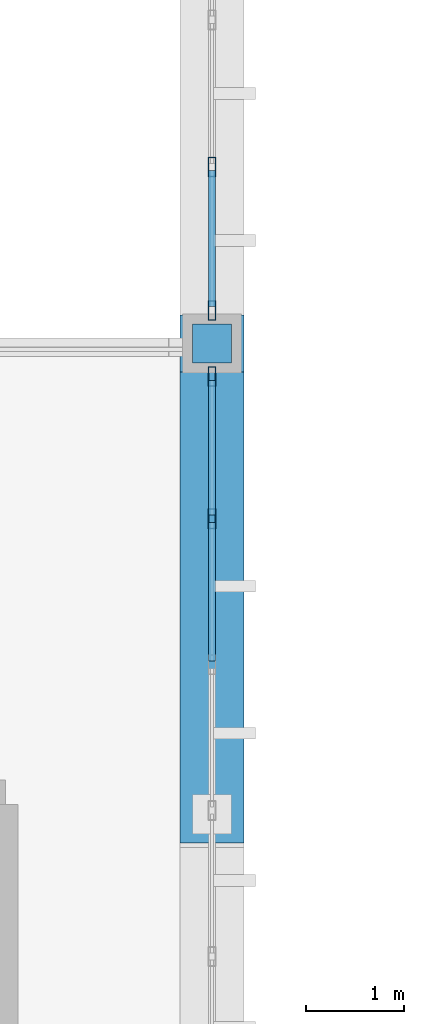
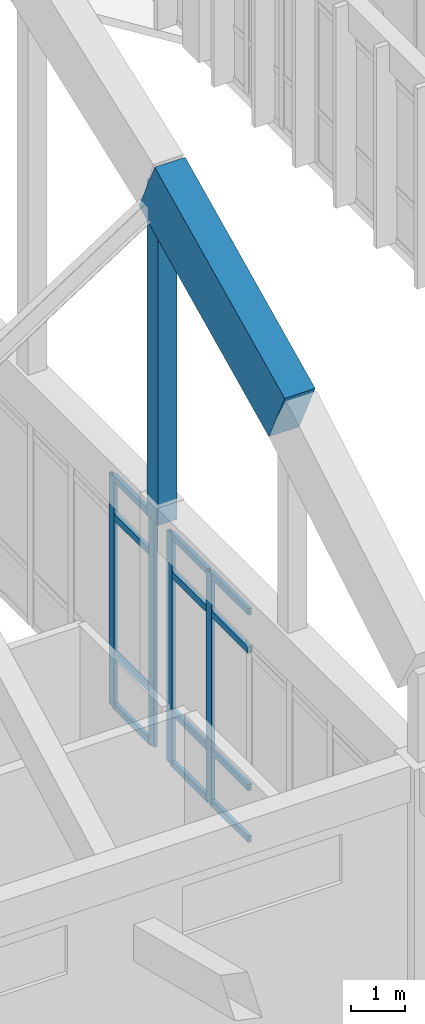
# One storey, part 128 of 236: 18 members, 2 elements without a shape of their own.
"""IFC4 building model written with IfcOpenShell, lengths in metres."""

from ifc_helpers import new_model, si_unit, direction, frame, origin, origin_2d, place, context, subcontext, project, spatial, rectangle, hollow_rectangle, extrude, material, layer, layer_set, material_profile, profile_set, type_object, element, aggregate, save


model = new_model("IFC4")

# Units and contexts
model_context = context("Model", 3, precision=1e-05, world=origin(), true_north=direction((0.0, 1.0)))
body_context = subcontext(model_context, "Body", "Model", "MODEL_VIEW")
ifc_project = project(units=[si_unit("LENGTHUNIT", "METRE"), si_unit("AREAUNIT", "SQUARE_METRE"), si_unit("VOLUMEUNIT", "CUBIC_METRE"), si_unit("PLANEANGLEUNIT", "RADIAN"), si_unit("MASSUNIT", "GRAM", prefix="KILO")], contexts=[model_context])

# Site, building, storey
site_placement = place(None, origin())
site = spatial("IfcSite", under=ifc_project, at=site_placement, CompositionType="ELEMENT")
building_placement = place(site_placement, origin())
building = spatial("IfcBuilding", under=site, at=building_placement, Name="Pandanus Reach Market Hall", CompositionType="ELEMENT")
storey_placement = place(building_placement, frame((0.0, 0.0, 5.39990234375)))
storey = spatial("IfcBuildingStorey", under=building, at=storey_placement, Name="L01", CompositionType="ELEMENT", Elevation=5.39990234375)

# Members
ifc_material_1 = material(Name="Concrete N50 (50 MPa)", Category="concrete")
ifc_material_profile_1 = material_profile(ifc_material_1, rectangle(XDim=0.64990234375, YDim=1.35009765625, at=origin_2d()), Name="RC650x1350", Category="LoadBearing")
ifc_profile_set_1 = profile_set([ifc_material_profile_1], Name="Concrete N50 (50 MPa)")
member_type_1 = type_object("IfcMemberType", Name="AR-RC650-E", PredefinedType="CHORD", material=ifc_profile_set_1)
member_1_placement = place(storey_placement, frame((132.0, 33.60009765625, 10.59130859375), z_axis=(0.0, 0.901823476756, 0.43210463637), x_axis=(-1.0, 0.0, 0.0)))
element("IfcMember", 1, at=member_1_placement, inside=storey, type_object=member_type_1, Name="Parabolic arch top chord A8.2", PredefinedType="CHORD", context=body_context, shape_type="SweptSolid", body=[
    extrude(rectangle(XDim=0.64990234375, YDim=1.35009765625, at=origin_2d()), origin(), (0.0, 0.0, 1.0), 5.322265625),
])
ifc_material_profile_2 = material_profile(ifc_material_1, rectangle(XDim=0.39990234375, YDim=0.39990234375, at=origin_2d()), Name="RC400x400", Category="LoadBearing")
ifc_profile_set_2 = profile_set([ifc_material_profile_2], Name="Concrete N50 (50 MPa)")
member_type_2 = type_object("IfcMemberType", Name="AR-WEB400-E", PredefinedType="STRUT", material=ifc_profile_set_2)
member_2_placement = place(storey_placement, frame((132.0, 38.39990234375, 5.3251953125), z_axis=(0.0, 0.0, 1.0), x_axis=(1.0, 0.0, 0.0)))
element("IfcMember", 2, at=member_2_placement, inside=storey, type_object=member_type_2, Name="Arch truss vertical web strut A8.2", PredefinedType="STRUT", context=body_context, shape_type="SweptSolid", body=[
    extrude(rectangle(XDim=0.39990234375, YDim=0.39990234375, at=origin_2d()), origin(), (0.0, 0.0, 1.0), 7.56591796875),
])

# Curtain wall, members
ifc_material_2 = material(Name="Bronze anodised aluminium and low-E glass", Category="aluminium")
ifc_layer_1 = layer(ifc_material_2, 0.199951171875, Name="CW-04")
ifc_layer_set_1 = layer_set([ifc_layer_1], Name="Bronze anodised aluminium and low-E glass")
curtain_wall_type_1 = type_object("IfcCurtainWallType", Name="CW-04", PredefinedType="NOTDEFINED", material=ifc_layer_set_1)
curtain_wall_1_placement = place(storey_placement, origin())
curtain_wall_1 = element("IfcCurtainWall", 3, at=curtain_wall_1_placement, inside=storey, type_object=curtain_wall_type_1, Name="Glazed curtain wall CW-04 CW-0021", PredefinedType="NOTDEFINED")
ifc_material_3 = material(Name="Bronze anodised aluminium", Category="aluminium")
ifc_material_profile_3 = material_profile(ifc_material_3, hollow_rectangle(XDim=0.074951171875, YDim=0.199951171875, WallThickness=0.00439453125, at=origin_2d()), Name="ALU75x200", Category="LoadBearing")
ifc_profile_set_3 = profile_set([ifc_material_profile_3], Name="Bronze anodised aluminium")
member_type_3 = type_object("IfcMemberType", Name="CW-M2", PredefinedType="MULLION", material=ifc_profile_set_3)
member_3_placement = place(storey_placement, frame((132.0, 36.612548828125, 0.0), z_axis=(0.0, 0.0, 1.0), x_axis=(-1.0, 0.0, 0.0)))
member_3 = element("IfcMember", 4, at=member_3_placement, type_object=member_type_3, Name="CW-04 mullion 6", PredefinedType="MULLION", context=body_context, shape_type="SweptSolid", body=[
    extrude(hollow_rectangle(XDim=0.074951171875, YDim=0.199951171875, WallThickness=0.00439453125, at=origin_2d()), origin(), (0.0, 0.0, 1.0), 5.2001953125),
])
member_4_placement = place(storey_placement, frame((132.0, 38.0625, 0.0), z_axis=(0.0, 0.0, 1.0), x_axis=(-1.0, 0.0, 0.0)))
member_4 = element("IfcMember", 5, at=member_4_placement, type_object=member_type_3, Name="CW-04 mullion 7", PredefinedType="MULLION", context=body_context, shape_type="SweptSolid", body=[
    extrude(hollow_rectangle(XDim=0.074951171875, YDim=0.199951171875, WallThickness=0.00439453125, at=origin_2d()), origin(), (0.0, 0.0, 1.0), 5.2001953125),
])

ifc_layer_2 = layer(ifc_material_2, 0.199951171875, Name="CW-05")
ifc_layer_set_2 = layer_set([ifc_layer_2], Name="Bronze anodised aluminium and low-E glass")
curtain_wall_type_2 = type_object("IfcCurtainWallType", Name="CW-05", PredefinedType="NOTDEFINED", material=ifc_layer_set_2)
curtain_wall_2_placement = place(storey_placement, origin())
curtain_wall_2 = element("IfcCurtainWall", 6, at=curtain_wall_2_placement, inside=storey, type_object=curtain_wall_type_2, Name="Glazed curtain wall CW-05 CW-0023", PredefinedType="NOTDEFINED")
member_5_placement = place(storey_placement, frame((132.0, 38.737548828125, 0.0), z_axis=(0.0, 0.0, 1.0), x_axis=(-1.0, 0.0, 0.0)))
member_5 = element("IfcMember", 7, at=member_5_placement, type_object=member_type_3, Name="CW-05 mullion 1", PredefinedType="MULLION", context=body_context, shape_type="SweptSolid", body=[
    extrude(hollow_rectangle(XDim=0.074951171875, YDim=0.199951171875, WallThickness=0.00439453125, at=origin_2d()), origin(), (0.0, 0.0, 1.0), 5.2001953125),
])
member_6_placement = place(storey_placement, frame((132.0, 40.199951171875, 0.0), z_axis=(0.0, 0.0, 1.0), x_axis=(-1.0, 0.0, 0.0)))
member_6 = element("IfcMember", 8, at=member_6_placement, type_object=member_type_3, Name="CW-05 mullion 2", PredefinedType="MULLION", context=body_context, shape_type="SweptSolid", body=[
    extrude(hollow_rectangle(XDim=0.074951171875, YDim=0.199951171875, WallThickness=0.00439453125, at=origin_2d()), origin(), (0.0, 0.0, 1.0), 5.2001953125),
])

# Member
ifc_material_profile_4 = material_profile(ifc_material_3, hollow_rectangle(XDim=0.074951171875, YDim=0.14990234375, WallThickness=0.00439453125, at=origin_2d()), Name="ALU75x150", Category="LoadBearing")
ifc_profile_set_4 = profile_set([ifc_material_profile_4], Name="Bronze anodised aluminium")
member_type_4 = type_object("IfcMemberType", Name="CW-T2", PredefinedType="USERDEFINED", material=ifc_profile_set_4)
member_7_placement = place(storey_placement, frame((132.0, 35.16259765625, 0.03759765625), z_axis=(0.0, 1.0, 0.0), x_axis=(-1.0, 0.0, 0.0)))
member_7 = element("IfcMember", 9, at=member_7_placement, type_object=member_type_4, Name="CW-04 transom 5.1", ObjectType="TRANSOM", PredefinedType="USERDEFINED", context=body_context, shape_type="SweptSolid", body=[
    extrude(hollow_rectangle(XDim=0.074951171875, YDim=0.14990234375, WallThickness=0.00439453125, at=origin_2d()), origin(), (0.0, 0.0, 1.0), 1.412353515625),
])

member_8_placement = place(storey_placement, frame((132.0, 35.16259765625, 1.2001953125), z_axis=(0.0, 1.0, 0.0), x_axis=(-1.0, 0.0, 0.0)))
member_8 = element("IfcMember", 10, at=member_8_placement, type_object=member_type_4, Name="CW-04 transom 5.2", ObjectType="TRANSOM", PredefinedType="USERDEFINED", context=body_context, shape_type="SweptSolid", body=[
    extrude(hollow_rectangle(XDim=0.074951171875, YDim=0.14990234375, WallThickness=0.00439453125, at=origin_2d()), origin(), (0.0, 0.0, 1.0), 1.412353515625),
])

member_9_placement = place(storey_placement, frame((132.0, 35.16259765625, 4.300048828125), z_axis=(0.0, 1.0, 0.0), x_axis=(-1.0, 0.0, 0.0)))
member_9 = element("IfcMember", 11, at=member_9_placement, type_object=member_type_4, Name="CW-04 transom 5.3", ObjectType="TRANSOM", PredefinedType="USERDEFINED", context=body_context, shape_type="SweptSolid", body=[
    extrude(hollow_rectangle(XDim=0.074951171875, YDim=0.14990234375, WallThickness=0.00439453125, at=origin_2d()), origin(), (0.0, 0.0, 1.0), 1.412353515625),
])

member_10_placement = place(storey_placement, frame((132.0, 35.16259765625, 5.16259765625), z_axis=(0.0, 1.0, 0.0), x_axis=(-1.0, 0.0, 0.0)))
member_10 = element("IfcMember", 12, at=member_10_placement, type_object=member_type_4, Name="CW-04 transom 5.4", ObjectType="TRANSOM", PredefinedType="USERDEFINED", context=body_context, shape_type="SweptSolid", body=[
    extrude(hollow_rectangle(XDim=0.074951171875, YDim=0.14990234375, WallThickness=0.00439453125, at=origin_2d()), origin(), (0.0, 0.0, 1.0), 1.412353515625),
])

member_11_placement = place(storey_placement, frame((132.0, 36.64990234375, 0.03759765625), z_axis=(0.0, 1.0, 0.0), x_axis=(-1.0, 0.0, 0.0)))
member_11 = element("IfcMember", 13, at=member_11_placement, type_object=member_type_4, Name="CW-04 transom 6.1", ObjectType="TRANSOM", PredefinedType="USERDEFINED", context=body_context, shape_type="SweptSolid", body=[
    extrude(hollow_rectangle(XDim=0.074951171875, YDim=0.14990234375, WallThickness=0.00439453125, at=origin_2d()), origin(), (0.0, 0.0, 1.0), 1.375),
])

member_12_placement = place(storey_placement, frame((132.0, 36.64990234375, 1.2001953125), z_axis=(0.0, 1.0, 0.0), x_axis=(-1.0, 0.0, 0.0)))
member_12 = element("IfcMember", 14, at=member_12_placement, type_object=member_type_4, Name="CW-04 transom 6.2", ObjectType="TRANSOM", PredefinedType="USERDEFINED", context=body_context, shape_type="SweptSolid", body=[
    extrude(hollow_rectangle(XDim=0.074951171875, YDim=0.14990234375, WallThickness=0.00439453125, at=origin_2d()), origin(), (0.0, 0.0, 1.0), 1.375),
])

member_13_placement = place(storey_placement, frame((132.0, 36.64990234375, 4.300048828125), z_axis=(0.0, 1.0, 0.0), x_axis=(-1.0, 0.0, 0.0)))
member_13 = element("IfcMember", 15, at=member_13_placement, type_object=member_type_4, Name="CW-04 transom 6.3", ObjectType="TRANSOM", PredefinedType="USERDEFINED", context=body_context, shape_type="SweptSolid", body=[
    extrude(hollow_rectangle(XDim=0.074951171875, YDim=0.14990234375, WallThickness=0.00439453125, at=origin_2d()), origin(), (0.0, 0.0, 1.0), 1.375),
])

member_14_placement = place(storey_placement, frame((132.0, 36.64990234375, 5.16259765625), z_axis=(0.0, 1.0, 0.0), x_axis=(-1.0, 0.0, 0.0)))
member_14 = element("IfcMember", 16, at=member_14_placement, type_object=member_type_4, Name="CW-04 transom 6.4", ObjectType="TRANSOM", PredefinedType="USERDEFINED", context=body_context, shape_type="SweptSolid", body=[
    extrude(hollow_rectangle(XDim=0.074951171875, YDim=0.14990234375, WallThickness=0.00439453125, at=origin_2d()), origin(), (0.0, 0.0, 1.0), 1.375),
])

aggregate(curtain_wall_1, [member_3, member_4, member_7, member_8, member_9, member_10, member_11, member_12, member_13, member_14])

member_15_placement = place(storey_placement, frame((132.0, 38.77490234375, 0.03759765625), z_axis=(0.0, 1.0, 0.0), x_axis=(-1.0, 0.0, 0.0)))
member_15 = element("IfcMember", 17, at=member_15_placement, type_object=member_type_4, Name="CW-05 transom 1.1", ObjectType="TRANSOM", PredefinedType="USERDEFINED", context=body_context, shape_type="SweptSolid", body=[
    extrude(hollow_rectangle(XDim=0.074951171875, YDim=0.14990234375, WallThickness=0.00439453125, at=origin_2d()), origin(), (0.0, 0.0, 1.0), 1.3876953125),
])

member_16_placement = place(storey_placement, frame((132.0, 38.77490234375, 1.2001953125), z_axis=(0.0, 1.0, 0.0), x_axis=(-1.0, 0.0, 0.0)))
member_16 = element("IfcMember", 18, at=member_16_placement, type_object=member_type_4, Name="CW-05 transom 1.2", ObjectType="TRANSOM", PredefinedType="USERDEFINED", context=body_context, shape_type="SweptSolid", body=[
    extrude(hollow_rectangle(XDim=0.074951171875, YDim=0.14990234375, WallThickness=0.00439453125, at=origin_2d()), origin(), (0.0, 0.0, 1.0), 1.3876953125),
])

member_17_placement = place(storey_placement, frame((132.0, 38.77490234375, 4.300048828125), z_axis=(0.0, 1.0, 0.0), x_axis=(-1.0, 0.0, 0.0)))
member_17 = element("IfcMember", 19, at=member_17_placement, type_object=member_type_4, Name="CW-05 transom 1.3", ObjectType="TRANSOM", PredefinedType="USERDEFINED", context=body_context, shape_type="SweptSolid", body=[
    extrude(hollow_rectangle(XDim=0.074951171875, YDim=0.14990234375, WallThickness=0.00439453125, at=origin_2d()), origin(), (0.0, 0.0, 1.0), 1.3876953125),
])

member_18_placement = place(storey_placement, frame((132.0, 38.77490234375, 5.16259765625), z_axis=(0.0, 1.0, 0.0), x_axis=(-1.0, 0.0, 0.0)))
member_18 = element("IfcMember", 20, at=member_18_placement, type_object=member_type_4, Name="CW-05 transom 1.4", ObjectType="TRANSOM", PredefinedType="USERDEFINED", context=body_context, shape_type="SweptSolid", body=[
    extrude(hollow_rectangle(XDim=0.074951171875, YDim=0.14990234375, WallThickness=0.00439453125, at=origin_2d()), origin(), (0.0, 0.0, 1.0), 1.3876953125),
])

aggregate(curtain_wall_2, [member_5, member_6, member_15, member_16, member_17, member_18])

save(model, "model.ifc")
